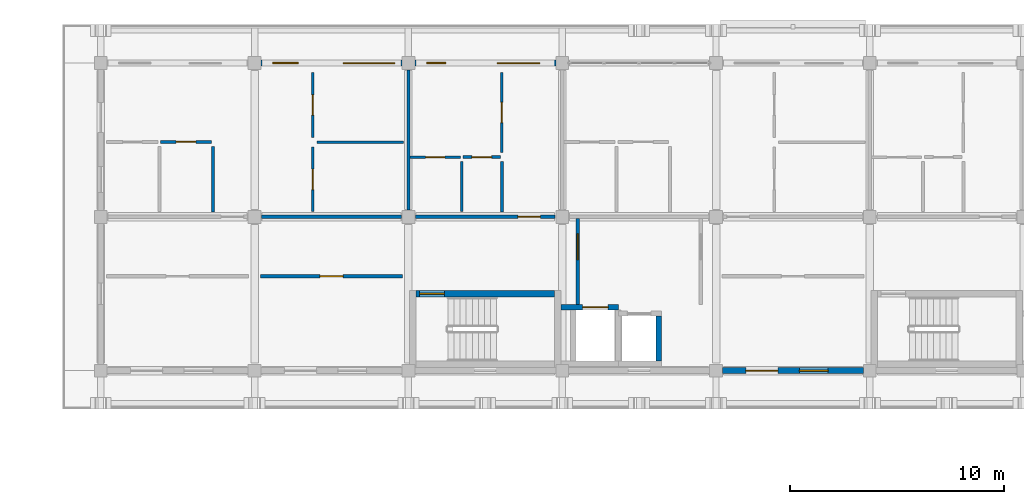
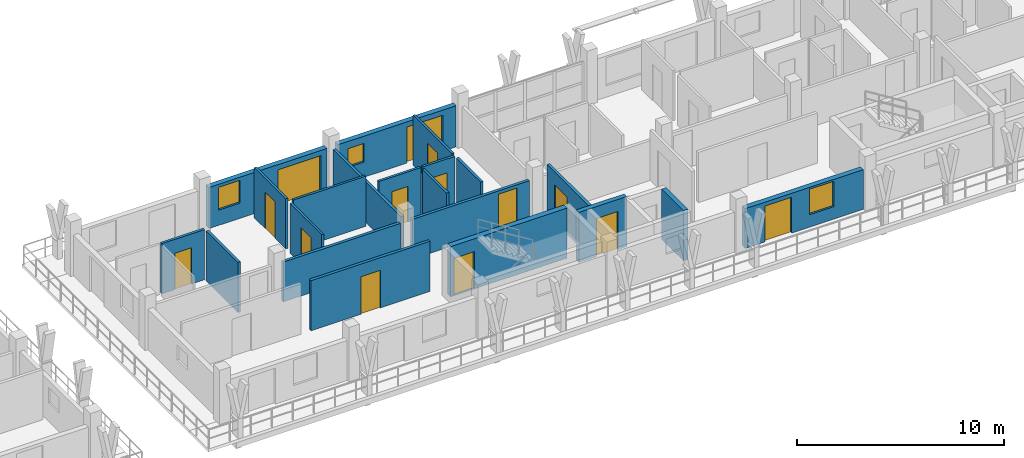
# One storey, part 134 of 157: 21 walls, 14 doors, 3 windows, 17 openings.
"""IFC4 building model written with IfcOpenShell, lengths in metres."""

from ifc_helpers import new_model, si_unit, direction, frame, frame_2d, origin, place, context, subcontext, project, spatial, rectangle, extrude, material, layer, layer_set, type_object, element, fill, save


model = new_model("IFC4")

# Units and contexts
model_context = context("Model", 3, precision=1e-05, world=origin(), true_north=direction((0.0, 1.0)))
body_context = subcontext(model_context, "Body", "Model", "MODEL_VIEW")
ifc_project = project(units=[si_unit("LENGTHUNIT", "METRE"), si_unit("AREAUNIT", "SQUARE_METRE"), si_unit("VOLUMEUNIT", "CUBIC_METRE"), si_unit("PLANEANGLEUNIT", "RADIAN"), si_unit("MASSUNIT", "GRAM", prefix="KILO")], contexts=[model_context])

# Site, building, storey
site_placement = place(None, origin())
site = spatial("IfcSite", under=ifc_project, at=site_placement, CompositionType="ELEMENT")
building_placement = place(site_placement, origin())
building = spatial("IfcBuilding", under=site, at=building_placement, Name="Suanplinth Sawtooth Commons", CompositionType="ELEMENT")
storey_placement = place(building_placement, frame((0.0, 0.0, 9.0)))
storey = spatial("IfcBuildingStorey", under=building, at=storey_placement, Name="L02", CompositionType="ELEMENT", Elevation=9.0)

# Wall, opening, door
ifc_material_1 = material(Name="Concrete C40/50", Category="concrete")
ifc_layer_1 = layer(ifc_material_1, 0.300048828125, Name="Standard RC stair and lift core wall 300mm")
ifc_layer_set_1 = layer_set([ifc_layer_1], Name="Concrete C40/50")
wall_type_1 = type_object("IfcWallType", Name="W-CR02", PredefinedType="SHEAR", material=ifc_layer_set_1)
wall_1_placement = place(storey_placement, frame((137.14990234375, 111.60009765625, 0.0), z_axis=(0.0, 0.0, 1.0), x_axis=(1.0, 0.0, 0.0)))
wall_1 = element("IfcWall", 1, at=wall_1_placement, inside=storey, type_object=wall_type_1, Name="W-L02-C-B1-STN", PredefinedType="SHEAR", context=body_context, shape_type="SweptSolid", body=[
    extrude(rectangle(XDim=6.5, YDim=0.300048828125, at=frame_2d((3.25, 0.0))), origin(), (0.0, 0.0, 1.0), 2.9599609375),
])
opening_1_placement = place(wall_1_placement, frame((0.179931640625, 0.0, 0.0)))
opening_1 = element("IfcOpeningElement", 2, at=opening_1_placement, cuts=wall_1, Name="Opening FD0169", PredefinedType="OPENING", context=body_context, shape_type="SweptSolid", body=[
    extrude(rectangle(XDim=1.14990234375, YDim=2.199951171875, at=frame_2d((0.574951171875, 1.10009765625))), frame((0.0, 0.1650390625, 0.0), z_axis=(0.0, -1.0, 0.0), x_axis=(1.0, 0.0, 0.0)), (0.0, 0.0, 1.0), 0.329833984375),
])
ifc_material_2 = material(Name="Teak hardwood fire-rated door assembly", Category="wood")
door_type_1 = type_object("IfcDoorType", Name="FD-01", OperationType="NOTDEFINED", PredefinedType="DOOR", material=ifc_material_2)
door_1_placement = place(opening_1_placement, frame((1.14990234375, 0.0, 0.0), z_axis=(0.0, 0.0, 1.0), x_axis=(-1.0, 0.0, 0.0)))
door_1 = element("IfcDoor", 3, at=door_1_placement, inside=storey, type_object=door_type_1, Name="Exit Stair Fire Door FD0169", OperationType="SINGLE_SWING_LEFT", OverallHeight=2.199951171875, OverallWidth=1.14990234375, PredefinedType="DOOR", context=body_context, shape_type="SweptSolid", body=[
    extrude(rectangle(XDim=1.14990234375, YDim=2.199951171875, at=frame_2d((0.574951171875, 1.10009765625))), frame((0.0, 0.02490234375, 0.0), z_axis=(0.0, -1.0, 0.0), x_axis=(1.0, 0.0, 0.0)), (0.0, 0.0, 1.0), 0.050048828125),
])
fill(opening_1, door_1)

# Wall, openings, door, window
ifc_material_3 = material(Name="Precast concrete C40/50", Category="concrete")
ifc_layer_2 = layer(ifc_material_3, 0.280029296875, Name="Insulated precast architectural facade wall 280mm")
ifc_layer_set_2 = layer_set([ifc_layer_2], Name="Precast concrete C40/50")
wall_type_2 = type_object("IfcWallType", Name="W-EX01", PredefinedType="ELEMENTEDWALL", material=ifc_layer_set_2)
wall_2_placement = place(storey_placement, frame((129.89990234375, 122.39990234375, 0.0), z_axis=(0.0, 0.0, 1.0), x_axis=(1.0, 0.0, 0.0)))
wall_2 = element("IfcWall", 4, at=wall_2_placement, inside=storey, type_object=wall_type_2, Name="Facade Wall W-L02-B-N-18-16", PredefinedType="ELEMENTEDWALL", context=body_context, shape_type="SweptSolid", body=[
    extrude(rectangle(XDim=6.60009765625, YDim=0.280029296875, at=frame_2d((3.300048828125, 0.0))), origin(), (0.0, 0.0, 1.0), 2.425048828125),
])
opening_2_placement = place(wall_2_placement, frame((3.85009765625, 0.0, 0.0)))
opening_2 = element("IfcOpeningElement", 5, at=opening_2_placement, cuts=wall_2, Name="Opening ED0159", PredefinedType="OPENING", context=body_context, shape_type="SweptSolid", body=[
    extrude(rectangle(XDim=2.39990234375, YDim=2.1201171875, at=frame_2d((1.199951171875, 1.06005859375))), frame((0.0, 0.15478515625, 0.0), z_axis=(0.0, -1.0, 0.0), x_axis=(1.0, 0.0, 0.0)), (0.0, 0.0, 1.0), 0.309814453125),
])
opening_3_placement = place(wall_2_placement, frame((0.550048828125, 0.0, 0.89990234375)))
opening_3 = element("IfcOpeningElement", 6, at=opening_3_placement, cuts=wall_2, Name="Opening W0273", PredefinedType="OPENING", context=body_context, shape_type="SweptSolid", body=[
    extrude(rectangle(XDim=1.199951171875, YDim=1.35009765625, at=frame_2d((0.60009765625, 0.675048828125))), frame((0.0, 0.15478515625, 0.0), z_axis=(0.0, -1.0, 0.0), x_axis=(1.0, 0.0, 0.0)), (0.0, 0.0, 1.0), 0.309814453125),
])
ifc_material_4 = material(Name="Anodized aluminium and low-E glass", Category="aluminium")
door_type_2 = type_object("IfcDoorType", Name="SD-04", OperationType="DOUBLE_DOOR_SLIDING", PredefinedType="DOOR", material=ifc_material_4)
door_2_placement = place(opening_2_placement, frame((2.39990234375, 0.0, 0.0), z_axis=(0.0, 0.0, 1.0), x_axis=(-1.0, 0.0, 0.0)))
door_2 = element("IfcDoor", 7, at=door_2_placement, inside=storey, type_object=door_type_2, Name="Balcony Sliding Door L02-B-18", OperationType="DOUBLE_DOOR_SLIDING", OverallHeight=2.1201171875, OverallWidth=2.39990234375, PredefinedType="DOOR", context=body_context, shape_type="SweptSolid", body=[
    extrude(rectangle(XDim=2.39990234375, YDim=2.1201171875, at=frame_2d((1.199951171875, 1.06005859375))), frame((0.0, 0.02490234375, 0.0), z_axis=(0.0, -1.0, 0.0), x_axis=(1.0, 0.0, 0.0)), (0.0, 0.0, 1.0), 0.050048828125),
])
fill(opening_2, door_2)
ifc_material_5 = material(Name="Thermally broken aluminium and low-E double glazing", Category="aluminium")
window_type_1 = type_object("IfcWindowType", Name="WN-03", PartitioningType="SINGLE_PANEL", PredefinedType="WINDOW", material=ifc_material_5)
window_1_placement = place(opening_3_placement, origin())
window_1 = element("IfcWindow", 8, at=window_1_placement, inside=storey, type_object=window_type_1, Name="Apartment Window L02-B-18", OverallHeight=1.35009765625, OverallWidth=1.199951171875, PartitioningType="SINGLE_PANEL", PredefinedType="WINDOW", context=body_context, shape_type="SweptSolid", body=[
    extrude(rectangle(XDim=1.199951171875, YDim=1.35009765625, at=frame_2d((0.60009765625, 0.675048828125))), frame((0.0, 0.030029296875, 0.0), z_axis=(0.0, -1.0, 0.0), x_axis=(1.0, 0.0, 0.0)), (0.0, 0.0, 1.0), 0.06005859375),
])
fill(opening_3, window_1)

wall_3_placement = place(storey_placement, frame((137.10009765625, 122.39990234375, 0.0), z_axis=(0.0, 0.0, 1.0), x_axis=(1.0, 0.0, 0.0)))
wall_3 = element("IfcWall", 9, at=wall_3_placement, inside=storey, type_object=wall_type_2, Name="Facade Wall W-L02-B-N-19-16", PredefinedType="ELEMENTEDWALL", context=body_context, shape_type="SweptSolid", body=[
    extrude(rectangle(XDim=6.599853515625, YDim=0.280029296875, at=frame_2d((3.2998046875, 0.0))), origin(), (0.0, 0.0, 1.0), 2.425048828125),
])
opening_4_placement = place(wall_3_placement, frame((3.85009765625, 0.0, 0.0)))
opening_4 = element("IfcOpeningElement", 10, at=opening_4_placement, cuts=wall_3, Name="Opening ED0160", PredefinedType="OPENING", context=body_context, shape_type="SweptSolid", body=[
    extrude(rectangle(XDim=2.0, YDim=2.1201171875, at=frame_2d((1.0, 1.06005859375))), frame((0.0, 0.15478515625, 0.0), z_axis=(0.0, -1.0, 0.0), x_axis=(1.0, 0.0, 0.0)), (0.0, 0.0, 1.0), 0.309814453125),
])
opening_5_placement = place(wall_3_placement, frame((0.550048828125, 0.0, 0.89990234375)))
opening_5 = element("IfcOpeningElement", 11, at=opening_5_placement, cuts=wall_3, Name="Opening W0275", PredefinedType="OPENING", context=body_context, shape_type="SweptSolid", body=[
    extrude(rectangle(XDim=0.89990234375, YDim=1.10009765625, at=frame_2d((0.449951171875, 0.550048828125))), frame((0.0, 0.15478515625, 0.0), z_axis=(0.0, -1.0, 0.0), x_axis=(1.0, 0.0, 0.0)), (0.0, 0.0, 1.0), 0.309814453125),
])
door_type_3 = type_object("IfcDoorType", Name="SD-06", OperationType="DOUBLE_DOOR_SLIDING", PredefinedType="DOOR", material=ifc_material_4)
door_3_placement = place(opening_4_placement, frame((2.0, 0.0, 0.0), z_axis=(0.0, 0.0, 1.0), x_axis=(-1.0, 0.0, 0.0)))
door_3 = element("IfcDoor", 12, at=door_3_placement, inside=storey, type_object=door_type_3, Name="Balcony Sliding Door L02-B-19", OperationType="DOUBLE_DOOR_SLIDING", OverallHeight=2.1201171875, OverallWidth=2.0, PredefinedType="DOOR", context=body_context, shape_type="SweptSolid", body=[
    extrude(rectangle(XDim=2.0, YDim=2.1201171875, at=frame_2d((1.0, 1.06005859375))), frame((0.0, 0.02490234375, 0.0), z_axis=(0.0, -1.0, 0.0), x_axis=(1.0, 0.0, 0.0)), (0.0, 0.0, 1.0), 0.050048828125),
])
fill(opening_4, door_3)
window_type_2 = type_object("IfcWindowType", Name="WN-04", PartitioningType="SINGLE_PANEL", PredefinedType="WINDOW", material=ifc_material_5)
window_2_placement = place(opening_5_placement, origin())
window_2 = element("IfcWindow", 13, at=window_2_placement, inside=storey, type_object=window_type_2, Name="Apartment Window L02-B-19", OverallHeight=1.10009765625, OverallWidth=0.89990234375, PartitioningType="SINGLE_PANEL", PredefinedType="WINDOW", context=body_context, shape_type="SweptSolid", body=[
    extrude(rectangle(XDim=0.89990234375, YDim=1.10009765625, at=frame_2d((0.449951171875, 0.550048828125))), frame((0.0, 0.030029296875, 0.0), z_axis=(0.0, -1.0, 0.0), x_axis=(1.0, 0.0, 0.0)), (0.0, 0.0, 1.0), 0.06005859375),
])
fill(opening_5, window_2)

wall_4_placement = place(storey_placement, frame((151.5, 108.0, 0.0), z_axis=(0.0, 0.0, 1.0), x_axis=(1.0, 0.0, 0.0)))
wall_4 = element("IfcWall", 14, at=wall_4_placement, inside=storey, type_object=wall_type_2, Name="Facade Wall W-L02-B-S-21-15", PredefinedType="ELEMENTEDWALL", context=body_context, shape_type="SweptSolid", body=[
    extrude(rectangle(XDim=6.60009765625, YDim=0.280029296875, at=frame_2d((3.300048828125, 0.0))), origin(), (0.0, 0.0, 1.0), 2.344970703125),
])
opening_6_placement = place(wall_4_placement, frame((1.10009765625, 0.0, 0.0)))
opening_6 = element("IfcOpeningElement", 15, at=opening_6_placement, cuts=wall_4, Name="Opening ED0161", PredefinedType="OPENING", context=body_context, shape_type="SweptSolid", body=[
    extrude(rectangle(XDim=1.5, YDim=2.1201171875, at=frame_2d((0.75, 1.06005859375))), frame((0.0, 0.15478515625, 0.0), z_axis=(0.0, -1.0, 0.0), x_axis=(1.0, 0.0, 0.0)), (0.0, 0.0, 1.0), 0.309814453125),
])
opening_7_placement = place(wall_4_placement, frame((3.60009765625, 0.0, 0.735107421875)))
opening_7 = element("IfcOpeningElement", 16, at=opening_7_placement, cuts=wall_4, Name="Opening W0277", PredefinedType="OPENING", context=body_context, shape_type="SweptSolid", body=[
    extrude(rectangle(XDim=1.35009765625, YDim=1.5, at=frame_2d((0.675048828125, 0.75))), frame((0.0, 0.15478515625, 0.0), z_axis=(0.0, -1.0, 0.0), x_axis=(1.0, 0.0, 0.0)), (0.0, 0.0, 1.0), 0.309814453125),
])
door_type_4 = type_object("IfcDoorType", Name="SD-03", OperationType="SLIDING_TO_LEFT", PredefinedType="DOOR", material=ifc_material_4)
door_4_placement = place(opening_6_placement, frame((1.5, 0.0, 0.0), z_axis=(0.0, 0.0, 1.0), x_axis=(-1.0, 0.0, 0.0)))
door_4 = element("IfcDoor", 17, at=door_4_placement, inside=storey, type_object=door_type_4, Name="Courtyard Balcony Door L02-B-21", OperationType="SLIDING_TO_LEFT", OverallHeight=2.1201171875, OverallWidth=1.5, PredefinedType="DOOR", context=body_context, shape_type="SweptSolid", body=[
    extrude(rectangle(XDim=1.5, YDim=2.1201171875, at=frame_2d((0.75, 1.06005859375))), frame((0.0, 0.02490234375, 0.0), z_axis=(0.0, -1.0, 0.0), x_axis=(1.0, 0.0, 0.0)), (0.0, 0.0, 1.0), 0.050048828125),
])
fill(opening_6, door_4)
window_type_3 = type_object("IfcWindowType", Name="WN-14", PartitioningType="SINGLE_PANEL", PredefinedType="WINDOW", material=ifc_material_5)
window_3_placement = place(opening_7_placement, origin())
window_3 = element("IfcWindow", 18, at=window_3_placement, inside=storey, type_object=window_type_3, Name="Courtyard Window L02-B-21", OverallHeight=1.5, OverallWidth=1.35009765625, PartitioningType="SINGLE_PANEL", PredefinedType="WINDOW", context=body_context, shape_type="SweptSolid", body=[
    extrude(rectangle(XDim=1.35009765625, YDim=1.5, at=frame_2d((0.675048828125, 0.75))), frame((0.0, 0.030029296875, 0.0), z_axis=(0.0, -1.0, 0.0), x_axis=(1.0, 0.0, 0.0)), (0.0, 0.0, 1.0), 0.06005859375),
])
fill(opening_7, window_3)

# Wall, opening, door
ifc_layer_3 = layer(ifc_material_3, 0.159912109375, Name="Fire-rated corridor and lobby wall 160mm")
ifc_layer_set_3 = layer_set([ifc_layer_3], Name="Precast concrete C40/50")
wall_type_3 = type_object("IfcWallType", Name="W-FW01", PredefinedType="PARTITIONING", material=ifc_layer_set_3)
wall_5_placement = place(storey_placement, frame((144.719970703125, 111.10009765625, 0.0), z_axis=(0.0, 0.0, 1.0), x_axis=(0.0, 1.0, 0.0)))
wall_5 = element("IfcWall", 19, at=wall_5_placement, inside=storey, type_object=wall_type_3, Name="W-L02-C-B1-LOB-W", PredefinedType="PARTITIONING", context=body_context, shape_type="SweptSolid", body=[
    extrude(rectangle(XDim=4.02001953125, YDim=0.159912109375, at=frame_2d((2.010009765625, 0.0))), origin(), (0.0, 0.0, 1.0), 2.9599609375),
])
opening_8_placement = place(wall_5_placement, frame((2.10009765625, 0.0, 0.0)))
opening_8 = element("IfcOpeningElement", 20, at=opening_8_placement, cuts=wall_5, Name="Opening FD0170", PredefinedType="OPENING", context=body_context, shape_type="SweptSolid", body=[
    extrude(rectangle(XDim=1.199951171875, YDim=2.199951171875, at=frame_2d((0.60009765625, 1.10009765625))), frame((0.0, 0.0947265625, 0.0), z_axis=(0.0, -1.0, 0.0), x_axis=(1.0, 0.0, 0.0)), (0.0, 0.0, 1.0), 0.189697265625),
])
door_type_5 = type_object("IfcDoorType", Name="FD-02", OperationType="NOTDEFINED", PredefinedType="DOOR", material=ifc_material_2)
door_5_placement = place(opening_8_placement, origin())
door_5 = element("IfcDoor", 21, at=door_5_placement, inside=storey, type_object=door_type_5, Name="Lobby Fire Door FD0170", OperationType="SINGLE_SWING_RIGHT", OverallHeight=2.199951171875, OverallWidth=1.199951171875, PredefinedType="DOOR", context=body_context, shape_type="SweptSolid", body=[
    extrude(rectangle(XDim=1.199951171875, YDim=2.199951171875, at=frame_2d((0.60009765625, 1.10009765625))), frame((0.0, 0.02490234375, 0.0), z_axis=(0.0, -1.0, 0.0), x_axis=(1.0, 0.0, 0.0)), (0.0, 0.0, 1.0), 0.050048828125),
])
fill(opening_8, door_5)

# Wall
wall_6_placement = place(storey_placement, frame((129.929931640625, 115.199951171875, 0.0), z_axis=(0.0, 0.0, 1.0), x_axis=(1.0, 0.0, 0.0)))
element("IfcWall", 22, at=wall_6_placement, inside=storey, type_object=wall_type_3, Name="W-B-L02-U01-COR-S2", PredefinedType="PARTITIONING", context=body_context, shape_type="SweptSolid", body=[
    extrude(rectangle(XDim=6.5400390625, YDim=0.159912109375, at=frame_2d((3.27001953125, 0.0))), origin(), (0.0, 0.0, 1.0), 2.344970703125),
])

# Wall, opening, door
wall_7_placement = place(storey_placement, frame((137.1298828125, 115.199951171875, 0.0), z_axis=(0.0, 0.0, 1.0), x_axis=(1.0, 0.0, 0.0)))
wall_7 = element("IfcWall", 23, at=wall_7_placement, inside=storey, type_object=wall_type_3, Name="W-B-L02-U02-COR", PredefinedType="PARTITIONING", context=body_context, shape_type="SweptSolid", body=[
    extrude(rectangle(XDim=6.5400390625, YDim=0.159912109375, at=frame_2d((3.27001953125, 0.0))), origin(), (0.0, 0.0, 1.0), 2.344970703125),
])
opening_9_placement = place(wall_7_placement, frame((4.794921875, 0.0, 0.0)))
opening_9 = element("IfcOpeningElement", 24, at=opening_9_placement, cuts=wall_7, Name="Opening FD0750", PredefinedType="OPENING", context=body_context, shape_type="SweptSolid", body=[
    extrude(rectangle(XDim=1.050048828125, YDim=2.14990234375, at=frame_2d((0.52490234375, 1.074951171875))), frame((0.0, 0.0947265625, 0.0), z_axis=(0.0, -1.0, 0.0), x_axis=(1.0, 0.0, 0.0)), (0.0, 0.0, 1.0), 0.189697265625),
])
door_type_6 = type_object("IfcDoorType", Name="FD-04", OperationType="NOTDEFINED", PredefinedType="DOOR", material=ifc_material_2)
door_6_placement = place(opening_9_placement, origin())
door_6 = element("IfcDoor", 25, at=door_6_placement, inside=storey, type_object=door_type_6, Name="Unit Entrance Door FD0750", OperationType="SINGLE_SWING_RIGHT", OverallHeight=2.14990234375, OverallWidth=1.050048828125, PredefinedType="DOOR", context=body_context, shape_type="SweptSolid", body=[
    extrude(rectangle(XDim=1.050048828125, YDim=2.14990234375, at=frame_2d((0.52490234375, 1.074951171875))), frame((0.0, 0.02490234375, 0.0), z_axis=(0.0, -1.0, 0.0), x_axis=(1.0, 0.0, 0.0)), (0.0, 0.0, 1.0), 0.050048828125),
])
fill(opening_9, door_6)

wall_8_placement = place(storey_placement, frame((129.8798828125, 112.419921875, 0.0), z_axis=(0.0, 0.0, 1.0), x_axis=(1.0, 0.0, 0.0)))
wall_8 = element("IfcWall", 26, at=wall_8_placement, inside=storey, type_object=wall_type_3, Name="W-B-L02-COURTROOM-32-COR", PredefinedType="PARTITIONING", context=body_context, shape_type="SweptSolid", body=[
    extrude(rectangle(XDim=6.64013671875, YDim=0.159912109375, at=frame_2d((3.320068359375, 0.0))), origin(), (0.0, 0.0, 1.0), 2.9599609375),
])
opening_10_placement = place(wall_8_placement, frame((2.780029296875, 0.0, 0.0)))
opening_10 = element("IfcOpeningElement", 27, at=opening_10_placement, cuts=wall_8, Name="Opening D0773", PredefinedType="OPENING", context=body_context, shape_type="SweptSolid", body=[
    extrude(rectangle(XDim=1.080078125, YDim=2.219970703125, at=frame_2d((0.5400390625, 1.10986328125))), frame((0.0, 0.0947265625, 0.0), z_axis=(0.0, -1.0, 0.0), x_axis=(1.0, 0.0, 0.0)), (0.0, 0.0, 1.0), 0.189697265625),
])
ifc_material_6 = material(Name="Teak hardwood", Category="wood")
door_type_7 = type_object("IfcDoorType", Name="D-17", OperationType="NOTDEFINED", PredefinedType="DOOR", material=ifc_material_6)
door_7_placement = place(opening_10_placement, frame((1.080078125, 0.0, 0.0), z_axis=(0.0, 0.0, 1.0), x_axis=(-1.0, 0.0, 0.0)))
door_7 = element("IfcDoor", 28, at=door_7_placement, inside=storey, type_object=door_type_7, Name="Study Studio Door D0773", OperationType="SINGLE_SWING_LEFT", OverallHeight=2.219970703125, OverallWidth=1.080078125, PredefinedType="DOOR", context=body_context, shape_type="SweptSolid", body=[
    extrude(rectangle(XDim=1.080078125, YDim=2.219970703125, at=frame_2d((0.5400390625, 1.10986328125))), frame((0.0, 0.02490234375, 0.0), z_axis=(0.0, -1.0, 0.0), x_axis=(1.0, 0.0, 0.0)), (0.0, 0.0, 1.0), 0.050048828125),
])
fill(opening_10, door_7)

# Wall
ifc_layer_4 = layer(ifc_material_3, 0.14990234375, Name="Acoustic precast party demising wall 150mm")
ifc_layer_set_4 = layer_set([ifc_layer_4], Name="Precast concrete C40/50")
wall_type_4 = type_object("IfcWallType", Name="W-FW02", PredefinedType="PARTITIONING", material=ifc_layer_set_4)
wall_9_placement = place(storey_placement, frame((136.800048828125, 115.530029296875, 0.0), z_axis=(0.0, 0.0, 1.0), x_axis=(0.0, 1.0, 0.0)))
element("IfcWall", 29, at=wall_9_placement, inside=storey, type_object=wall_type_4, Name="W-B-L02-U01-PTY", PredefinedType="PARTITIONING", context=body_context, shape_type="SweptSolid", body=[
    extrude(rectangle(XDim=6.5400390625, YDim=0.14990234375, at=frame_2d((3.27001953125, 0.0))), origin(), (0.0, 0.0, 1.0), 2.39501953125),
])

# Wall, opening, door
ifc_material_7 = material(Name="Gypsum plasterboard on steel stud", Category="steel")
ifc_layer_5 = layer(ifc_material_7, 0.139892578125, Name="Fire-rated kitchen partition 140mm")
ifc_layer_set_5 = layer_set([ifc_layer_5], Name="Gypsum plasterboard on steel stud")
wall_type_5 = type_object("IfcWallType", Name="W-PT01", PredefinedType="PARTITIONING", material=ifc_layer_set_5)
wall_10_placement = place(storey_placement, frame((125.199951171875, 118.7099609375, 0.0), z_axis=(0.0, 0.0, 1.0), x_axis=(1.0, 0.0, 0.0)))
wall_10 = element("IfcWall", 30, at=wall_10_placement, inside=storey, type_object=wall_type_5, Name="W-B-L02-U01-KIT1", PredefinedType="PARTITIONING", context=body_context, shape_type="SweptSolid", body=[
    extrude(rectangle(XDim=2.380126953125, YDim=0.139892578125, at=frame_2d((1.18994140625, 0.0))), origin(), (0.0, 0.0, 1.0), 2.9599609375),
])
opening_11_placement = place(wall_10_placement, frame((0.72509765625, 0.0, 0.0)))
opening_11 = element("IfcOpeningElement", 31, at=opening_11_placement, cuts=wall_10, Name="Opening D0747", PredefinedType="OPENING", context=body_context, shape_type="SweptSolid", body=[
    extrude(rectangle(XDim=0.929931640625, YDim=2.139892578125, at=frame_2d((0.46484375, 1.06982421875))), frame((0.0, 0.0849609375, 0.0), z_axis=(0.0, -1.0, 0.0), x_axis=(1.0, 0.0, 0.0)), (0.0, 0.0, 1.0), 0.169677734375),
])
door_type_8 = type_object("IfcDoorType", Name="D-19", OperationType="NOTDEFINED", PredefinedType="DOOR", material=ifc_material_6)
door_8_placement = place(opening_11_placement, frame((0.929931640625, 0.0, 0.0), z_axis=(0.0, 0.0, 1.0), x_axis=(-1.0, 0.0, 0.0)))
door_8 = element("IfcDoor", 32, at=door_8_placement, inside=storey, type_object=door_type_8, Name="Kitchen Door D0747", OperationType="SINGLE_SWING_LEFT", OverallHeight=2.139892578125, OverallWidth=0.929931640625, PredefinedType="DOOR", context=body_context, shape_type="SweptSolid", body=[
    extrude(rectangle(XDim=0.929931640625, YDim=2.139892578125, at=frame_2d((0.46484375, 1.06982421875))), frame((0.0, 0.02490234375, 0.0), z_axis=(0.0, -1.0, 0.0), x_axis=(1.0, 0.0, 0.0)), (0.0, 0.0, 1.0), 0.050048828125),
])
fill(opening_11, door_8)

# Wall
wall_11_placement = place(storey_placement, frame((127.64990234375, 115.429931640625, 0.0), z_axis=(0.0, 0.0, 1.0), x_axis=(0.0, 1.0, 0.0)))
element("IfcWall", 33, at=wall_11_placement, inside=storey, type_object=wall_type_5, Name="W-B-L02-U01-KIT2", PredefinedType="PARTITIONING", context=body_context, shape_type="SweptSolid", body=[
    extrude(rectangle(XDim=3.06005859375, YDim=0.139892578125, at=frame_2d((1.530029296875, 0.0))), origin(), (0.0, 0.0, 1.0), 2.9599609375),
])

# Wall, opening, door
wall_12_placement = place(storey_placement, frame((139.35009765625, 118.0, 0.0), z_axis=(0.0, 0.0, 1.0), x_axis=(1.0, 0.0, 0.0)))
wall_12 = element("IfcWall", 34, at=wall_12_placement, inside=storey, type_object=wall_type_5, Name="W-B-L02-U02-KIT1", PredefinedType="PARTITIONING", context=body_context, shape_type="SweptSolid", body=[
    extrude(rectangle(XDim=1.77001953125, YDim=0.139892578125, at=frame_2d((0.885009765625, 0.0))), origin(), (0.0, 0.0, 1.0), 2.9599609375),
])
opening_12_placement = place(wall_12_placement, frame((0.419921875, 0.0, 0.0)))
opening_12 = element("IfcOpeningElement", 35, at=opening_12_placement, cuts=wall_12, Name="Opening D0752", PredefinedType="OPENING", context=body_context, shape_type="SweptSolid", body=[
    extrude(rectangle(XDim=0.929931640625, YDim=2.139892578125, at=frame_2d((0.46484375, 1.06982421875))), frame((0.0, 0.0849609375, 0.0), z_axis=(0.0, -1.0, 0.0), x_axis=(1.0, 0.0, 0.0)), (0.0, 0.0, 1.0), 0.169677734375),
])
door_9_placement = place(opening_12_placement, frame((0.929931640625, 0.0, 0.0), z_axis=(0.0, 0.0, 1.0), x_axis=(-1.0, 0.0, 0.0)))
door_9 = element("IfcDoor", 36, at=door_9_placement, inside=storey, type_object=door_type_8, Name="Kitchen Door D0752", OperationType="SINGLE_SWING_RIGHT", OverallHeight=2.139892578125, OverallWidth=0.929931640625, PredefinedType="DOOR", context=body_context, shape_type="SweptSolid", body=[
    extrude(rectangle(XDim=0.929931640625, YDim=2.139892578125, at=frame_2d((0.46484375, 1.06982421875))), frame((0.0, 0.02490234375, 0.0), z_axis=(0.0, -1.0, 0.0), x_axis=(1.0, 0.0, 0.0)), (0.0, 0.0, 1.0), 0.050048828125),
])
fill(opening_12, door_9)

# Wall
wall_13_placement = place(storey_placement, frame((141.18994140625, 115.429931640625, 0.0), z_axis=(0.0, 0.0, 1.0), x_axis=(0.0, 1.0, 0.0)))
element("IfcWall", 37, at=wall_13_placement, inside=storey, type_object=wall_type_5, Name="W-B-L02-U02-KIT2", PredefinedType="PARTITIONING", context=body_context, shape_type="SweptSolid", body=[
    extrude(rectangle(XDim=2.35009765625, YDim=0.139892578125, at=frame_2d((1.175048828125, 0.0))), origin(), (0.0, 0.0, 1.0), 2.9599609375),
])

# Wall, opening, door
ifc_layer_6 = layer(ifc_material_7, 0.1298828125, Name="Moisture-resistant bathroom partition 130mm")
ifc_layer_set_6 = layer_set([ifc_layer_6], Name="Gypsum plasterboard on steel stud")
wall_type_6 = type_object("IfcWallType", Name="W-PT02", PredefinedType="PARTITIONING", material=ifc_layer_set_6)
wall_14_placement = place(storey_placement, frame((136.8798828125, 117.9951171875, 0.0), z_axis=(0.0, 0.0, 1.0), x_axis=(1.0, 0.0, 0.0)))
wall_14 = element("IfcWall", 38, at=wall_14_placement, inside=storey, type_object=wall_type_6, Name="W-B-L02-U02-BTH1", PredefinedType="PARTITIONING", context=body_context, shape_type="SweptSolid", body=[
    extrude(rectangle(XDim=2.35009765625, YDim=0.1298828125, at=frame_2d((1.175048828125, 0.0))), origin(), (0.0, 0.0, 1.0), 2.9599609375),
])
opening_13_placement = place(wall_14_placement, frame((0.72509765625, 0.0, 0.0)))
opening_13 = element("IfcOpeningElement", 39, at=opening_13_placement, cuts=wall_14, Name="Opening D0751", PredefinedType="OPENING", context=body_context, shape_type="SweptSolid", body=[
    extrude(rectangle(XDim=0.89990234375, YDim=2.10009765625, at=frame_2d((0.449951171875, 1.050048828125))), frame((0.0, 0.079833984375, 0.0), z_axis=(0.0, -1.0, 0.0), x_axis=(1.0, 0.0, 0.0)), (0.0, 0.0, 1.0), 0.15966796875),
])
door_type_9 = type_object("IfcDoorType", Name="D-01", OperationType="NOTDEFINED", PredefinedType="DOOR", material=ifc_material_6)
door_10_placement = place(opening_13_placement, frame((0.89990234375, 0.0, 0.0), z_axis=(0.0, 0.0, 1.0), x_axis=(-1.0, 0.0, 0.0)))
door_10 = element("IfcDoor", 40, at=door_10_placement, inside=storey, type_object=door_type_9, Name="Bathroom Door D0751", OperationType="SINGLE_SWING_LEFT", OverallHeight=2.10009765625, OverallWidth=0.89990234375, PredefinedType="DOOR", context=body_context, shape_type="SweptSolid", body=[
    extrude(rectangle(XDim=0.89990234375, YDim=2.10009765625, at=frame_2d((0.449951171875, 1.050048828125))), frame((0.0, 0.02490234375, 0.0), z_axis=(0.0, -1.0, 0.0), x_axis=(1.0, 0.0, 0.0)), (0.0, 0.0, 1.0), 0.050048828125),
])
fill(opening_13, door_10)

# Wall
wall_15_placement = place(storey_placement, frame((139.294921875, 115.4599609375, 0.0), z_axis=(0.0, 0.0, 1.0), x_axis=(0.0, 1.0, 0.0)))
element("IfcWall", 41, at=wall_15_placement, inside=storey, type_object=wall_type_6, Name="W-B-L02-U02-BTH2", PredefinedType="PARTITIONING", context=body_context, shape_type="SweptSolid", body=[
    extrude(rectangle(XDim=2.330078125, YDim=0.1298828125, at=frame_2d((1.1650390625, 0.0))), origin(), (0.0, 0.0, 1.0), 2.9599609375),
])

# Wall, opening, door
ifc_layer_7 = layer(ifc_material_7, 0.1201171875, Name="Acoustic bedroom partition 120mm")
ifc_layer_set_7 = layer_set([ifc_layer_7], Name="Gypsum plasterboard on steel stud")
wall_type_7 = type_object("IfcWallType", Name="W-PT03", PredefinedType="PARTITIONING", material=ifc_layer_set_7)
wall_16_placement = place(storey_placement, frame((132.320068359375, 118.919921875, 0.0), z_axis=(0.0, 0.0, 1.0), x_axis=(0.0, 1.0, 0.0)))
wall_16 = element("IfcWall", 42, at=wall_16_placement, inside=storey, type_object=wall_type_7, Name="W-B-L02-U01-BED1", PredefinedType="PARTITIONING", context=body_context, shape_type="SweptSolid", body=[
    extrude(rectangle(XDim=3.0400390625, YDim=0.1201171875, at=frame_2d((1.52001953125, 0.0))), origin(), (0.0, 0.0, 1.0), 2.9599609375),
])
opening_14_placement = place(wall_16_placement, frame((1.044921875, 0.0, 0.0)))
opening_14 = element("IfcOpeningElement", 43, at=opening_14_placement, cuts=wall_16, Name="Opening D0748", PredefinedType="OPENING", context=body_context, shape_type="SweptSolid", body=[
    extrude(rectangle(XDim=0.949951171875, YDim=2.14990234375, at=frame_2d((0.47509765625, 1.074951171875))), frame((0.0, 0.074951171875, 0.0), z_axis=(0.0, -1.0, 0.0), x_axis=(1.0, 0.0, 0.0)), (0.0, 0.0, 1.0), 0.14990234375),
])
door_type_10 = type_object("IfcDoorType", Name="D-03", OperationType="NOTDEFINED", PredefinedType="DOOR", material=ifc_material_6)
door_11_placement = place(opening_14_placement, frame((0.949951171875, 0.0, 0.0), z_axis=(0.0, 0.0, 1.0), x_axis=(-1.0, 0.0, 0.0)))
door_11 = element("IfcDoor", 44, at=door_11_placement, inside=storey, type_object=door_type_10, Name="Bedroom Door D0748", OperationType="SINGLE_SWING_RIGHT", OverallHeight=2.14990234375, OverallWidth=0.949951171875, PredefinedType="DOOR", context=body_context, shape_type="SweptSolid", body=[
    extrude(rectangle(XDim=0.949951171875, YDim=2.14990234375, at=frame_2d((0.47509765625, 1.074951171875))), frame((0.0, 0.02490234375, 0.0), z_axis=(0.0, -1.0, 0.0), x_axis=(1.0, 0.0, 0.0)), (0.0, 0.0, 1.0), 0.050048828125),
])
fill(opening_14, door_11)

wall_17_placement = place(storey_placement, frame((132.320068359375, 115.43994140625, 0.0), z_axis=(0.0, 0.0, 1.0), x_axis=(0.0, 1.0, 0.0)))
wall_17 = element("IfcWall", 45, at=wall_17_placement, inside=storey, type_object=wall_type_7, Name="W-B-L02-U01-BED2", PredefinedType="PARTITIONING", context=body_context, shape_type="SweptSolid", body=[
    extrude(rectangle(XDim=3.0400390625, YDim=0.1201171875, at=frame_2d((1.52001953125, 0.0))), origin(), (0.0, 0.0, 1.0), 2.9599609375),
])
opening_15_placement = place(wall_17_placement, frame((1.0400390625, 0.0, 0.0)))
opening_15 = element("IfcOpeningElement", 46, at=opening_15_placement, cuts=wall_17, Name="Opening D0749", PredefinedType="OPENING", context=body_context, shape_type="SweptSolid", body=[
    extrude(rectangle(XDim=0.9599609375, YDim=2.14990234375, at=frame_2d((0.47998046875, 1.074951171875))), frame((0.0, 0.074951171875, 0.0), z_axis=(0.0, -1.0, 0.0), x_axis=(1.0, 0.0, 0.0)), (0.0, 0.0, 1.0), 0.14990234375),
])
door_type_11 = type_object("IfcDoorType", Name="D-13", OperationType="NOTDEFINED", PredefinedType="DOOR", material=ifc_material_6)
door_12_placement = place(opening_15_placement, frame((0.9599609375, 0.0, 0.0), z_axis=(0.0, 0.0, 1.0), x_axis=(-1.0, 0.0, 0.0)))
door_12 = element("IfcDoor", 47, at=door_12_placement, inside=storey, type_object=door_type_11, Name="Second Bedroom Door D0749", OperationType="SINGLE_SWING_LEFT", OverallHeight=2.14990234375, OverallWidth=0.9599609375, PredefinedType="DOOR", context=body_context, shape_type="SweptSolid", body=[
    extrude(rectangle(XDim=0.9599609375, YDim=2.14990234375, at=frame_2d((0.47998046875, 1.074951171875))), frame((0.0, 0.02490234375, 0.0), z_axis=(0.0, -1.0, 0.0), x_axis=(1.0, 0.0, 0.0)), (0.0, 0.0, 1.0), 0.050048828125),
])
fill(opening_15, door_12)

wall_18_placement = place(storey_placement, frame((141.179931640625, 118.2099609375, 0.0), z_axis=(0.0, 0.0, 1.0), x_axis=(0.0, 1.0, 0.0)))
wall_18 = element("IfcWall", 48, at=wall_18_placement, inside=storey, type_object=wall_type_7, Name="W-B-L02-U02-BED1", PredefinedType="PARTITIONING", context=body_context, shape_type="SweptSolid", body=[
    extrude(rectangle(XDim=3.75, YDim=0.1201171875, at=frame_2d((1.875, 0.0))), origin(), (0.0, 0.0, 1.0), 2.9599609375),
])
opening_16_placement = place(wall_18_placement, frame((1.39990234375, 0.0, 0.0)))
opening_16 = element("IfcOpeningElement", 49, at=opening_16_placement, cuts=wall_18, Name="Opening D0753", PredefinedType="OPENING", context=body_context, shape_type="SweptSolid", body=[
    extrude(rectangle(XDim=0.949951171875, YDim=2.14990234375, at=frame_2d((0.47509765625, 1.074951171875))), frame((0.0, 0.074951171875, 0.0), z_axis=(0.0, -1.0, 0.0), x_axis=(1.0, 0.0, 0.0)), (0.0, 0.0, 1.0), 0.14990234375),
])
door_13_placement = place(opening_16_placement, origin())
door_13 = element("IfcDoor", 50, at=door_13_placement, inside=storey, type_object=door_type_10, Name="Bedroom Door D0753", OperationType="SINGLE_SWING_LEFT", OverallHeight=2.14990234375, OverallWidth=0.949951171875, PredefinedType="DOOR", context=body_context, shape_type="SweptSolid", body=[
    extrude(rectangle(XDim=0.949951171875, YDim=2.14990234375, at=frame_2d((0.47509765625, 1.074951171875))), frame((0.0, 0.02490234375, 0.0), z_axis=(0.0, -1.0, 0.0), x_axis=(1.0, 0.0, 0.0)), (0.0, 0.0, 1.0), 0.050048828125),
])
fill(opening_16, door_13)

# Wall
ifc_layer_8 = layer(ifc_material_7, 0.125, Name="Acoustic study partition 125mm")
ifc_layer_set_8 = layer_set([ifc_layer_8], Name="Gypsum plasterboard on steel stud")
wall_type_8 = type_object("IfcWallType", Name="W-PT06", PredefinedType="PARTITIONING", material=ifc_layer_set_8)
wall_19_placement = place(storey_placement, frame((132.52001953125, 118.699951171875, 0.0), z_axis=(0.0, 0.0, 1.0), x_axis=(1.0, 0.0, 0.0)))
element("IfcWall", 51, at=wall_19_placement, inside=storey, type_object=wall_type_8, Name="W-B-L02-U01-BEDDIV", PredefinedType="PARTITIONING", context=body_context, shape_type="SweptSolid", body=[
    extrude(rectangle(XDim=4.06005859375, YDim=0.125, at=frame_2d((2.030029296875, 0.0))), origin(), (0.0, 0.0, 1.0), 2.9599609375),
])

# Wall, opening, door
ifc_layer_9 = layer(ifc_material_3, 0.25, Name="Precast structural shear wall 250mm")
ifc_layer_set_9 = layer_set([ifc_layer_9], Name="Precast concrete C40/50")
wall_type_9 = type_object("IfcWallType", Name="W-SH01", PredefinedType="SHEAR", material=ifc_layer_set_9)
wall_20_placement = place(storey_placement, frame((143.949951171875, 110.97509765625, 0.0), z_axis=(0.0, 0.0, 1.0), x_axis=(1.0, 0.0, 0.0)))
wall_20 = element("IfcWall", 52, at=wall_20_placement, inside=storey, type_object=wall_type_9, Name="W-L02-FL2-N", PredefinedType="SHEAR", context=body_context, shape_type="SweptSolid", body=[
    extrude(rectangle(XDim=2.675048828125, YDim=0.25, at=frame_2d((1.33740234375, 0.0))), origin(), (0.0, 0.0, 1.0), 2.9599609375),
])
opening_17_placement = place(wall_20_placement, frame((1.0, 0.0, 0.0)))
opening_17 = element("IfcOpeningElement", 53, at=opening_17_placement, cuts=wall_20, Name="Opening LD0172", PredefinedType="OPENING", context=body_context, shape_type="SweptSolid", body=[
    extrude(rectangle(XDim=1.199951171875, YDim=2.25, at=frame_2d((0.60009765625, 1.125))), frame((0.0, 0.139892578125, 0.0), z_axis=(0.0, -1.0, 0.0), x_axis=(1.0, 0.0, 0.0)), (0.0, 0.0, 1.0), 0.27978515625),
])
ifc_material_8 = material(Name="Stainless steel Grade 304", Category="steel")
door_type_12 = type_object("IfcDoorType", Name="LD-02", OperationType="SLIDING_TO_LEFT", PredefinedType="DOOR", material=ifc_material_8)
door_14_placement = place(opening_17_placement, origin())
door_14 = element("IfcDoor", 54, at=door_14_placement, inside=storey, type_object=door_type_12, Name="Lift Landing Sliding Door FL2 L02", OperationType="SLIDING_TO_LEFT", OverallHeight=2.25, OverallWidth=1.199951171875, PredefinedType="DOOR", context=body_context, shape_type="SweptSolid", body=[
    extrude(rectangle(XDim=1.199951171875, YDim=2.25, at=frame_2d((0.60009765625, 1.125))), frame((0.0, 0.02490234375, 0.0), z_axis=(0.0, -1.0, 0.0), x_axis=(1.0, 0.0, 0.0)), (0.0, 0.0, 1.0), 0.050048828125),
])
fill(opening_17, door_14)

# Wall
wall_21_placement = place(storey_placement, frame((148.52490234375, 108.449951171875, 0.0), z_axis=(0.0, 0.0, 1.0), x_axis=(0.0, 1.0, 0.0)))
element("IfcWall", 55, at=wall_21_placement, inside=storey, type_object=wall_type_9, Name="W-L02-LF3-E", PredefinedType="SHEAR", context=body_context, shape_type="SweptSolid", body=[
    extrude(rectangle(XDim=2.10009765625, YDim=0.25, at=frame_2d((1.050048828125, 0.0))), origin(), (0.0, 0.0, 1.0), 2.9599609375),
])

save(model, "model.ifc")
